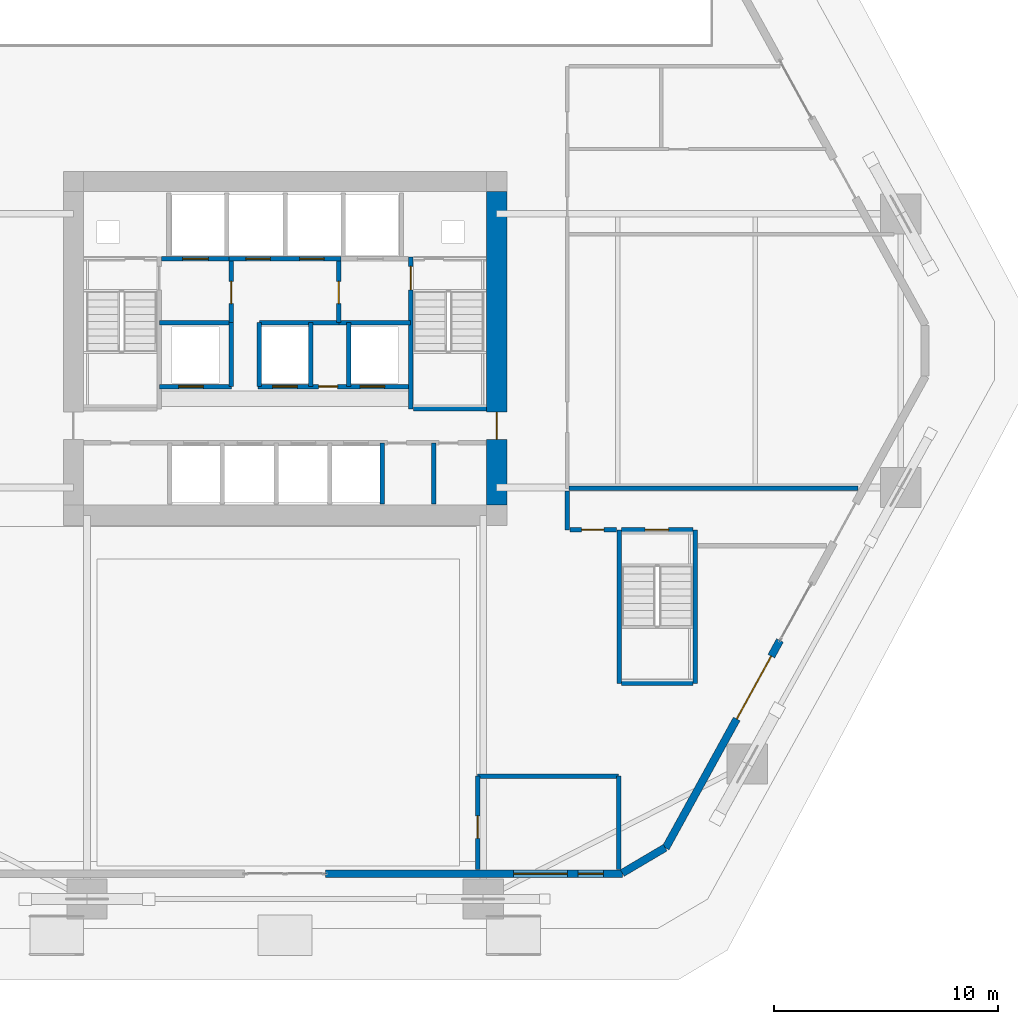
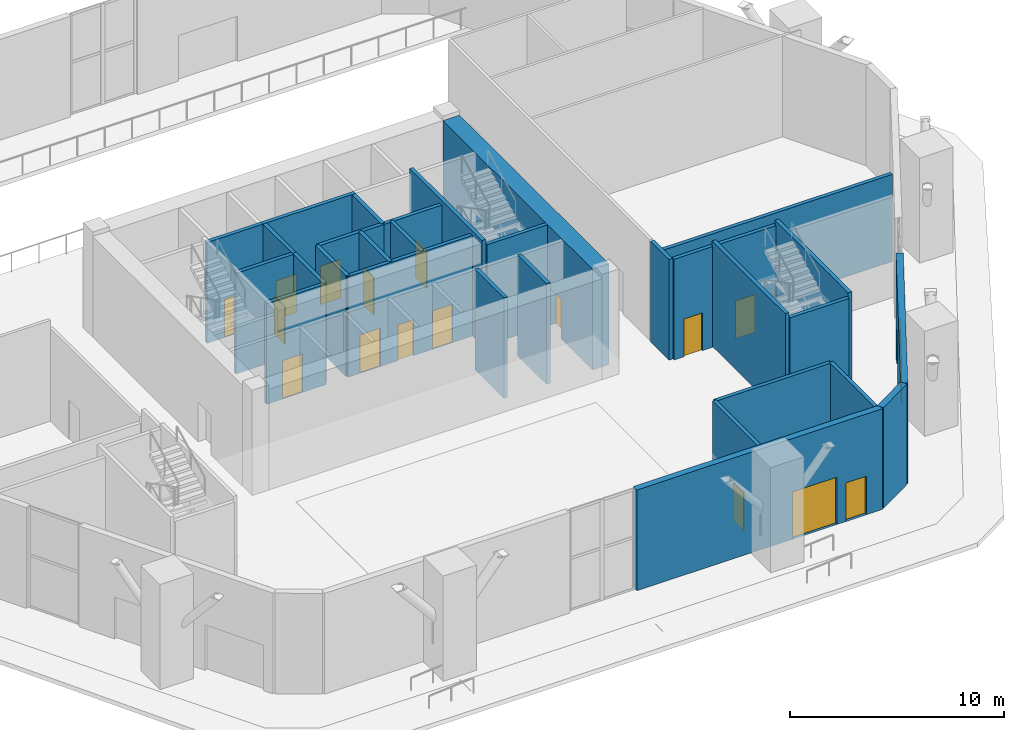
# One storey, part 16 of 22: 31 walls, 17 doors, 17 openings.
"""IFC4 building model written with IfcOpenShell, lengths in metres."""

from ifc_helpers import new_model, si_unit, direction, frame, frame_2d, origin, place, context, subcontext, project, spatial, rectangle, extrude, material, layer, layer_set, type_object, element, fill, save


model = new_model("IFC4")

# Units and contexts
model_context = context("Model", 3, precision=1e-05, world=origin(), true_north=direction((0.0, 1.0)))
body_context = subcontext(model_context, "Body", "Model", "MODEL_VIEW")
ifc_project = project(units=[si_unit("LENGTHUNIT", "METRE"), si_unit("AREAUNIT", "SQUARE_METRE"), si_unit("VOLUMEUNIT", "CUBIC_METRE"), si_unit("PLANEANGLEUNIT", "RADIAN"), si_unit("MASSUNIT", "GRAM", prefix="KILO")], contexts=[model_context])

# Site, building, storey
site_placement = place(None, origin())
site = spatial("IfcSite", under=ifc_project, at=site_placement, CompositionType="ELEMENT")
building_placement = place(site_placement, origin())
building = spatial("IfcBuilding", under=site, at=building_placement, Name="Cinnabar Lancet Tower", CompositionType="ELEMENT")
storey_placement = place(building_placement, origin())
storey = spatial("IfcBuildingStorey", under=building, at=storey_placement, Name="L00", CompositionType="ELEMENT", Elevation=0.0)

# Wall
ifc_material_1 = material(Name="Autoclaved aerated concrete blockwork", Category="masonry")
ifc_layer_1 = layer(ifc_material_1, 0.199951171875)
ifc_layer_set_1 = layer_set([ifc_layer_1], Name="Autoclaved aerated concrete blockwork")
wall_type_1 = type_object("IfcWallType", Name="ARC-WL-SHAFT-200", PredefinedType="PLUMBINGWALL", material=ifc_layer_set_1)
wall_1_placement = place(storey_placement, frame((38.125, 23.199951171875, 0.0), z_axis=(0.0, 0.0, 1.0), x_axis=(1.0, 0.0, 0.0)))
element("IfcWall", 1, at=wall_1_placement, inside=storey, type_object=wall_type_1, Name="CW-ST2S-L00", PredefinedType="PLUMBINGWALL", context=body_context, shape_type="SweptSolid", body=[
    extrude(rectangle(XDim=3.27001953125, YDim=0.199951171875, at=frame_2d((1.635009765625, 0.0))), origin(), (0.0, 0.0, 1.0), 5.75),
])

# Wall, opening, door
wall_2_placement = place(storey_placement, frame((26.885009765625, 29.89990234375, 0.0), z_axis=(0.0, 0.0, 1.0), x_axis=(1.0, 0.0, 0.0)))
wall_2 = element("IfcWall", 2, at=wall_2_placement, inside=storey, type_object=wall_type_1, Name="CW-FL1-L00", PredefinedType="PLUMBINGWALL", context=body_context, shape_type="SweptSolid", body=[
    extrude(rectangle(XDim=3.014892578125, YDim=0.199951171875, at=frame_2d((1.50732421875, 0.0))), origin(), (0.0, 0.0, 1.0), 5.75),
])
opening_1_placement = place(wall_2_placement, frame((0.93994140625, 0.0, 0.0)))
opening_1 = element("IfcOpeningElement", 3, at=opening_1_placement, cuts=wall_2, Name="Opening LD-02", PredefinedType="OPENING", context=body_context, shape_type="SweptSolid", body=[
    extrude(rectangle(XDim=1.14990234375, YDim=2.199951171875, at=frame_2d((0.574951171875, 1.10009765625))), frame((0.0, 0.10986328125, 0.0), z_axis=(0.0, -1.0, 0.0), x_axis=(1.0, 0.0, 0.0)), (0.0, 0.0, 1.0), 0.219970703125),
])
ifc_material_2 = material(Name="Fire-rated stainless steel firefighting lift landing door", Category="steel")
door_type_1 = type_object("IfcDoorType", Name="ARC-DR-LD-FIRE", OperationType="NOTDEFINED", PredefinedType="DOOR", material=ifc_material_2)
door_1_placement = place(opening_1_placement, origin())
door_1 = element("IfcDoor", 4, at=door_1_placement, inside=storey, type_object=door_type_1, Name="L00 Firefighting Lift FL-1 Landing Door", OperationType="DOUBLE_DOOR_SLIDING", OverallHeight=2.199951171875, OverallWidth=1.14990234375, PredefinedType="DOOR", context=body_context, shape_type="SweptSolid", body=[
    extrude(rectangle(XDim=1.14990234375, YDim=2.199951171875, at=frame_2d((0.574951171875, 1.10009765625))), frame((0.0, 0.02490234375, 0.0), z_axis=(0.0, -1.0, 0.0), x_axis=(1.0, 0.0, 0.0)), (0.0, 0.0, 1.0), 0.050048828125),
])
fill(opening_1, door_1)

# Wall, openings, doors
wall_3_placement = place(storey_placement, frame((29.89990234375, 29.89990234375, 0.0), z_axis=(0.0, 0.0, 1.0), x_axis=(1.0, 0.0, 0.0)))
wall_3 = element("IfcWall", 5, at=wall_3_placement, inside=storey, type_object=wall_type_1, Name="CW-PL78-L00", PredefinedType="PLUMBINGWALL", context=body_context, shape_type="SweptSolid", body=[
    extrude(rectangle(XDim=5.0, YDim=0.199951171875, at=frame_2d((2.5, 0.0))), origin(), (0.0, 0.0, 1.0), 5.75),
])
opening_2_placement = place(wall_3_placement, frame((0.75, 0.0, 0.0)))
opening_2 = element("IfcOpeningElement", 6, at=opening_2_placement, cuts=wall_3, Name="Opening LD-01", PredefinedType="OPENING", context=body_context, shape_type="SweptSolid", body=[
    extrude(rectangle(XDim=1.10009765625, YDim=2.199951171875, at=frame_2d((0.550048828125, 1.10009765625))), frame((0.0, 0.10986328125, 0.0), z_axis=(0.0, -1.0, 0.0), x_axis=(1.0, 0.0, 0.0)), (0.0, 0.0, 1.0), 0.219970703125),
])
opening_3_placement = place(wall_3_placement, frame((3.14990234375, 0.0, 0.0)))
opening_3 = element("IfcOpeningElement", 7, at=opening_3_placement, cuts=wall_3, Name="Opening LD-01", PredefinedType="OPENING", context=body_context, shape_type="SweptSolid", body=[
    extrude(rectangle(XDim=1.10009765625, YDim=2.199951171875, at=frame_2d((0.550048828125, 1.10009765625))), frame((0.0, 0.10986328125, 0.0), z_axis=(0.0, -1.0, 0.0), x_axis=(1.0, 0.0, 0.0)), (0.0, 0.0, 1.0), 0.219970703125),
])
ifc_material_3 = material(Name="Brushed stainless steel sliding lift door", Category="steel")
door_type_2 = type_object("IfcDoorType", Name="ARC-DR-LD-PASS", OperationType="NOTDEFINED", PredefinedType="DOOR", material=ifc_material_3)
door_2_placement = place(opening_2_placement, origin())
door_2 = element("IfcDoor", 8, at=door_2_placement, inside=storey, type_object=door_type_2, Name="L00 Lift PL-7 Landing Door", OperationType="DOUBLE_DOOR_SLIDING", OverallHeight=2.199951171875, OverallWidth=1.10009765625, PredefinedType="DOOR", context=body_context, shape_type="SweptSolid", body=[
    extrude(rectangle(XDim=1.10009765625, YDim=2.199951171875, at=frame_2d((0.550048828125, 1.10009765625))), frame((0.0, 0.02490234375, 0.0), z_axis=(0.0, -1.0, 0.0), x_axis=(1.0, 0.0, 0.0)), (0.0, 0.0, 1.0), 0.050048828125),
])
fill(opening_2, door_2)
door_3_placement = place(opening_3_placement, origin())
door_3 = element("IfcDoor", 9, at=door_3_placement, inside=storey, type_object=door_type_2, Name="L00 Lift PL-8 Landing Door", OperationType="DOUBLE_DOOR_SLIDING", OverallHeight=2.199951171875, OverallWidth=1.10009765625, PredefinedType="DOOR", context=body_context, shape_type="SweptSolid", body=[
    extrude(rectangle(XDim=1.10009765625, YDim=2.199951171875, at=frame_2d((0.550048828125, 1.10009765625))), frame((0.0, 0.02490234375, 0.0), z_axis=(0.0, -1.0, 0.0), x_axis=(1.0, 0.0, 0.0)), (0.0, 0.0, 1.0), 0.050048828125),
])
fill(opening_3, door_3)

# Wall, opening, door
wall_4_placement = place(storey_placement, frame((30.0, 27.050048828125, 0.0), z_axis=(0.0, 0.0, 1.0), x_axis=(0.0, 1.0, 0.0)))
wall_4 = element("IfcWall", 10, at=wall_4_placement, inside=storey, type_object=wall_type_1, Name="CW-FF1E-L00", PredefinedType="PLUMBINGWALL", context=body_context, shape_type="SweptSolid", body=[
    extrude(rectangle(XDim=2.75, YDim=0.199951171875, at=frame_2d((1.375, 0.0))), origin(), (0.0, 0.0, 1.0), 5.75),
])
opening_4_placement = place(wall_4_placement, frame((0.85009765625, 0.0, 0.0)))
opening_4 = element("IfcOpeningElement", 11, at=opening_4_placement, cuts=wall_4, Name="Opening FD-01", PredefinedType="OPENING", context=body_context, shape_type="SweptSolid", body=[
    extrude(rectangle(XDim=1.0, YDim=2.14990234375, at=frame_2d((0.5, 1.074951171875))), frame((0.0, 0.10986328125, 0.0), z_axis=(0.0, -1.0, 0.0), x_axis=(1.0, 0.0, 0.0)), (0.0, 0.0, 1.0), 0.219970703125),
])
ifc_material_4 = material(Name="Fire-rated timber-core lobby door", Category="wood")
door_type_3 = type_object("IfcDoorType", Name="ARC-DR-FFAL", OperationType="NOTDEFINED", PredefinedType="DOOR", material=ifc_material_4)
door_4_placement = place(opening_4_placement, origin())
door_4 = element("IfcDoor", 12, at=door_4_placement, inside=storey, type_object=door_type_3, Name="L00 FFAL-1 Lobby Fire Door", OperationType="SINGLE_SWING_RIGHT", OverallHeight=2.14990234375, OverallWidth=1.0, PredefinedType="DOOR", context=body_context, shape_type="SweptSolid", body=[
    extrude(rectangle(XDim=1.0, YDim=2.14990234375, at=frame_2d((0.5, 1.074951171875))), frame((0.0, 0.02490234375, 0.0), z_axis=(0.0, -1.0, 0.0), x_axis=(1.0, 0.0, 0.0)), (0.0, 0.0, 1.0), 0.050048828125),
])
fill(opening_4, door_4)

# Wall
wall_5_placement = place(storey_placement, frame((26.800048828125, 27.050048828125, 0.0), z_axis=(0.0, 0.0, 1.0), x_axis=(1.0, 0.0, 0.0)))
element("IfcWall", 13, at=wall_5_placement, inside=storey, type_object=wall_type_1, Name="CW-FF1S-L00", PredefinedType="PLUMBINGWALL", context=body_context, shape_type="SweptSolid", body=[
    extrude(rectangle(XDim=3.199951171875, YDim=0.199951171875, at=frame_2d((1.60009765625, 0.0))), origin(), (0.0, 0.0, 1.0), 5.75),
])

# Wall, opening, door
wall_6_placement = place(storey_placement, frame((34.800048828125, 27.050048828125, 0.0), z_axis=(0.0, 0.0, 1.0), x_axis=(0.0, 1.0, 0.0)))
wall_6 = element("IfcWall", 14, at=wall_6_placement, inside=storey, type_object=wall_type_1, Name="CW-FF2W-L00", PredefinedType="PLUMBINGWALL", context=body_context, shape_type="SweptSolid", body=[
    extrude(rectangle(XDim=2.75, YDim=0.199951171875, at=frame_2d((1.375, 0.0))), origin(), (0.0, 0.0, 1.0), 5.75),
])
opening_5_placement = place(wall_6_placement, frame((0.85009765625, 0.0, 0.0)))
opening_5 = element("IfcOpeningElement", 15, at=opening_5_placement, cuts=wall_6, Name="Opening FD-01", PredefinedType="OPENING", context=body_context, shape_type="SweptSolid", body=[
    extrude(rectangle(XDim=1.0, YDim=2.14990234375, at=frame_2d((0.5, 1.074951171875))), frame((0.0, 0.10986328125, 0.0), z_axis=(0.0, -1.0, 0.0), x_axis=(1.0, 0.0, 0.0)), (0.0, 0.0, 1.0), 0.219970703125),
])
door_5_placement = place(opening_5_placement, origin())
door_5 = element("IfcDoor", 16, at=door_5_placement, inside=storey, type_object=door_type_3, Name="L00 FFAL-2 Lobby Fire Door", OperationType="SINGLE_SWING_LEFT", OverallHeight=2.14990234375, OverallWidth=1.0, PredefinedType="DOOR", context=body_context, shape_type="SweptSolid", body=[
    extrude(rectangle(XDim=1.0, YDim=2.14990234375, at=frame_2d((0.5, 1.074951171875))), frame((0.0, 0.02490234375, 0.0), z_axis=(0.0, -1.0, 0.0), x_axis=(1.0, 0.0, 0.0)), (0.0, 0.0, 1.0), 0.050048828125),
])
fill(opening_5, door_5)

# Wall
wall_7_placement = place(storey_placement, frame((34.800048828125, 27.050048828125, 0.0), z_axis=(0.0, 0.0, 1.0), x_axis=(1.0, 0.0, 0.0)))
element("IfcWall", 17, at=wall_7_placement, inside=storey, type_object=wall_type_1, Name="CW-FF2S-L00", PredefinedType="PLUMBINGWALL", context=body_context, shape_type="SweptSolid", body=[
    extrude(rectangle(XDim=3.199951171875, YDim=0.199951171875, at=frame_2d((1.60009765625, 0.0))), origin(), (0.0, 0.0, 1.0), 5.75),
])

# Wall, opening, door
wall_8_placement = place(storey_placement, frame((26.800048828125, 24.199951171875, 0.0), z_axis=(0.0, 0.0, 1.0), x_axis=(1.0, 0.0, 0.0)))
wall_8 = element("IfcWall", 18, at=wall_8_placement, inside=storey, type_object=wall_type_1, Name="CW-PL5S-L00", PredefinedType="PLUMBINGWALL", context=body_context, shape_type="SweptSolid", body=[
    extrude(rectangle(XDim=3.199951171875, YDim=0.199951171875, at=frame_2d((1.60009765625, 0.0))), origin(), (0.0, 0.0, 1.0), 5.75),
])
opening_6_placement = place(wall_8_placement, frame((0.85009765625, 0.0, 0.0)))
opening_6 = element("IfcOpeningElement", 19, at=opening_6_placement, cuts=wall_8, Name="Opening LD-01", PredefinedType="OPENING", context=body_context, shape_type="SweptSolid", body=[
    extrude(rectangle(XDim=1.10009765625, YDim=2.199951171875, at=frame_2d((0.550048828125, 1.10009765625))), frame((0.0, 0.10986328125, 0.0), z_axis=(0.0, -1.0, 0.0), x_axis=(1.0, 0.0, 0.0)), (0.0, 0.0, 1.0), 0.219970703125),
])
door_6_placement = place(opening_6_placement, origin())
door_6 = element("IfcDoor", 20, at=door_6_placement, inside=storey, type_object=door_type_2, Name="L00 Lift PL-5 Landing Door", OperationType="DOUBLE_DOOR_SLIDING", OverallHeight=2.199951171875, OverallWidth=1.10009765625, PredefinedType="DOOR", context=body_context, shape_type="SweptSolid", body=[
    extrude(rectangle(XDim=1.10009765625, YDim=2.199951171875, at=frame_2d((0.550048828125, 1.10009765625))), frame((0.0, 0.02490234375, 0.0), z_axis=(0.0, -1.0, 0.0), x_axis=(1.0, 0.0, 0.0)), (0.0, 0.0, 1.0), 0.050048828125),
])
fill(opening_6, door_6)

# Wall
wall_9_placement = place(storey_placement, frame((30.0, 24.199951171875, 0.0), z_axis=(0.0, 0.0, 1.0), x_axis=(0.0, 1.0, 0.0)))
element("IfcWall", 21, at=wall_9_placement, inside=storey, type_object=wall_type_1, Name="CW-PL5E-L00", PredefinedType="PLUMBINGWALL", context=body_context, shape_type="SweptSolid", body=[
    extrude(rectangle(XDim=2.85009765625, YDim=0.199951171875, at=frame_2d((1.425048828125, 0.0))), origin(), (0.0, 0.0, 1.0), 5.75),
])

# Wall, openings, doors
wall_10_placement = place(storey_placement, frame((31.199951171875, 24.199951171875, 0.0), z_axis=(0.0, 0.0, 1.0), x_axis=(1.0, 0.0, 0.0)))
wall_10 = element("IfcWall", 22, at=wall_10_placement, inside=storey, type_object=wall_type_1, Name="CW-PL96S-L00", PredefinedType="PLUMBINGWALL", context=body_context, shape_type="SweptSolid", body=[
    extrude(rectangle(XDim=6.800048828125, YDim=0.199951171875, at=frame_2d((3.39990234375, 0.0))), origin(), (0.0, 0.0, 1.0), 5.75),
])
opening_7_placement = place(wall_10_placement, frame((0.64990234375, 0.0, 0.0)))
opening_7 = element("IfcOpeningElement", 23, at=opening_7_placement, cuts=wall_10, Name="Opening LD-01", PredefinedType="OPENING", context=body_context, shape_type="SweptSolid", body=[
    extrude(rectangle(XDim=1.10009765625, YDim=2.199951171875, at=frame_2d((0.550048828125, 1.10009765625))), frame((0.0, 0.10986328125, 0.0), z_axis=(0.0, -1.0, 0.0), x_axis=(1.0, 0.0, 0.0)), (0.0, 0.0, 1.0), 0.219970703125),
])
opening_8_placement = place(wall_10_placement, frame((2.699951171875, 0.0, 0.0)))
opening_8 = element("IfcOpeningElement", 24, at=opening_8_placement, cuts=wall_10, Name="Opening PD-02", PredefinedType="OPENING", context=body_context, shape_type="SweptSolid", body=[
    extrude(rectangle(XDim=0.85009765625, YDim=2.050048828125, at=frame_2d((0.425048828125, 1.02490234375))), frame((0.0, 0.10986328125, 0.0), z_axis=(0.0, -1.0, 0.0), x_axis=(1.0, 0.0, 0.0)), (0.0, 0.0, 1.0), 0.219970703125),
])
opening_9_placement = place(wall_10_placement, frame((4.550048828125, 0.0, 0.0)))
opening_9 = element("IfcOpeningElement", 25, at=opening_9_placement, cuts=wall_10, Name="Opening LD-01", PredefinedType="OPENING", context=body_context, shape_type="SweptSolid", body=[
    extrude(rectangle(XDim=1.10009765625, YDim=2.199951171875, at=frame_2d((0.550048828125, 1.10009765625))), frame((0.0, 0.10986328125, 0.0), z_axis=(0.0, -1.0, 0.0), x_axis=(1.0, 0.0, 0.0)), (0.0, 0.0, 1.0), 0.219970703125),
])
door_7_placement = place(opening_7_placement, origin())
door_7 = element("IfcDoor", 26, at=door_7_placement, inside=storey, type_object=door_type_2, Name="L00 Lift PL-9 Landing Door", OperationType="DOUBLE_DOOR_SLIDING", OverallHeight=2.199951171875, OverallWidth=1.10009765625, PredefinedType="DOOR", context=body_context, shape_type="SweptSolid", body=[
    extrude(rectangle(XDim=1.10009765625, YDim=2.199951171875, at=frame_2d((0.550048828125, 1.10009765625))), frame((0.0, 0.02490234375, 0.0), z_axis=(0.0, -1.0, 0.0), x_axis=(1.0, 0.0, 0.0)), (0.0, 0.0, 1.0), 0.050048828125),
])
fill(opening_7, door_7)
door_8_placement = place(opening_9_placement, origin())
door_8 = element("IfcDoor", 27, at=door_8_placement, inside=storey, type_object=door_type_2, Name="L00 Lift PL-6 Landing Door", OperationType="DOUBLE_DOOR_SLIDING", OverallHeight=2.199951171875, OverallWidth=1.10009765625, PredefinedType="DOOR", context=body_context, shape_type="SweptSolid", body=[
    extrude(rectangle(XDim=1.10009765625, YDim=2.199951171875, at=frame_2d((0.550048828125, 1.10009765625))), frame((0.0, 0.02490234375, 0.0), z_axis=(0.0, -1.0, 0.0), x_axis=(1.0, 0.0, 0.0)), (0.0, 0.0, 1.0), 0.050048828125),
])
fill(opening_9, door_8)
ifc_material_5 = material(Name="Fire-rated steel riser access door", Category="steel")
door_type_4 = type_object("IfcDoorType", Name="ARC-DR-RISER", OperationType="NOTDEFINED", PredefinedType="DOOR", material=ifc_material_5)
door_9_placement = place(opening_8_placement, origin())
door_9 = element("IfcDoor", 28, at=door_9_placement, inside=storey, type_object=door_type_4, Name="L00 BMS Closet Door", OperationType="SINGLE_SWING_LEFT", OverallHeight=2.050048828125, OverallWidth=0.85009765625, PredefinedType="DOOR", context=body_context, shape_type="SweptSolid", body=[
    extrude(rectangle(XDim=0.85009765625, YDim=2.050048828125, at=frame_2d((0.425048828125, 1.02490234375))), frame((0.0, 0.02490234375, 0.0), z_axis=(0.0, -1.0, 0.0), x_axis=(1.0, 0.0, 0.0)), (0.0, 0.0, 1.0), 0.050048828125),
])
fill(opening_8, door_9)

# Walls
for number, where, z_axis, x_axis, name in (
    (29, (31.25, 24.199951171875, 0.0), (0.0, 0.0, 1.0), (0.0, 1.0, 0.0), "CW-PL9W-L00"),
    (30, (33.550048828125, 24.199951171875, 0.0), (0.0, 0.0, 1.0), (0.0, 1.0, 0.0), "CW-PL9E-L00"),
    (31, (35.25, 24.199951171875, 0.0), (0.0, 0.0, 1.0), (0.0, 1.0, 0.0), "CW-PL6W-L00"),
):
    element("IfcWall", number, at=place(storey_placement, frame(where, z_axis=z_axis, x_axis=x_axis)), inside=storey, type_object=wall_type_1, Name=name, PredefinedType="PLUMBINGWALL", context=body_context, shape_type="SweptSolid", body=[
        extrude(rectangle(XDim=2.85009765625, YDim=0.199951171875, at=frame_2d((1.425048828125, 0.0))), origin(), (0.0, 0.0, 1.0), 5.75),
    ])
wall_11_placement = place(storey_placement, frame((31.25, 27.050048828125, 0.0), z_axis=(0.0, 0.0, 1.0), x_axis=(1.0, 0.0, 0.0)))
element("IfcWall", 32, at=wall_11_placement, inside=storey, type_object=wall_type_1, Name="CW-PL96N-L00", PredefinedType="PLUMBINGWALL", context=body_context, shape_type="SweptSolid", body=[
    extrude(rectangle(XDim=3.550048828125, YDim=0.199951171875, at=frame_2d((1.77490234375, 0.0))), origin(), (0.0, 0.0, 1.0), 5.75),
])
for number, where, z_axis, x_axis, name in (
    (33, (36.75, 18.949951171875, 0.0), (0.0, 0.0, 1.0), (0.0, 1.0, 0.0), "CW-SB-3675-L00"),
    (34, (39.050048828125, 18.949951171875, 0.0), (0.0, 0.0, 1.0), (0.0, 1.0, 0.0), "CW-SB-SE-L00"),
):
    element("IfcWall", number, at=place(storey_placement, frame(where, z_axis=z_axis, x_axis=x_axis)), inside=storey, type_object=wall_type_1, Name=name, PredefinedType="PLUMBINGWALL", context=body_context, shape_type="SweptSolid", body=[
        extrude(rectangle(XDim=2.72998046875, YDim=0.199951171875, at=frame_2d((1.364990234375, 0.0))), origin(), (0.0, 0.0, 1.0), 5.75),
    ])
wall_12_placement = place(storey_placement, frame((47.425048828125, 10.949951171875, 0.0), z_axis=(0.0, 0.0, 1.0), x_axis=(1.0, 0.0, 0.0)))
element("IfcWall", 35, at=wall_12_placement, inside=storey, type_object=wall_type_1, Name="PW-ST4S-L00", PredefinedType="PLUMBINGWALL", context=body_context, shape_type="SweptSolid", body=[
    extrude(rectangle(XDim=3.18994140625, YDim=0.199951171875, at=frame_2d((1.594970703125, 0.0))), origin(), (0.0, 0.0, 1.0), 5.75),
])

# Wall, opening, door
wall_13_placement = place(storey_placement, frame((47.425048828125, 17.800048828125, 0.0), z_axis=(0.0, 0.0, 1.0), x_axis=(1.0, 0.0, 0.0)))
wall_13 = element("IfcWall", 36, at=wall_13_placement, inside=storey, type_object=wall_type_1, Name="PW-ST4N-L00", PredefinedType="PLUMBINGWALL", context=body_context, shape_type="SweptSolid", body=[
    extrude(rectangle(XDim=3.18994140625, YDim=0.199951171875, at=frame_2d((1.594970703125, 0.0))), origin(), (0.0, 0.0, 1.0), 5.75),
])
opening_10_placement = place(wall_13_placement, frame((1.050048828125, 0.0, 0.0)))
opening_10 = element("IfcOpeningElement", 37, at=opening_10_placement, cuts=wall_13, Name="Opening SD-01", PredefinedType="OPENING", context=body_context, shape_type="SweptSolid", body=[
    extrude(rectangle(XDim=1.050048828125, YDim=2.14990234375, at=frame_2d((0.52490234375, 1.074951171875))), frame((0.0, 0.10986328125, 0.0), z_axis=(0.0, -1.0, 0.0), x_axis=(1.0, 0.0, 0.0)), (0.0, 0.0, 1.0), 0.219970703125),
])
ifc_material_6 = material(Name="Fire-rated steel stair exit door", Category="steel")
door_type_5 = type_object("IfcDoorType", Name="ARC-DR-STAIR", OperationType="NOTDEFINED", PredefinedType="DOOR", material=ifc_material_6)
door_10_placement = place(opening_10_placement, origin())
door_10 = element("IfcDoor", 38, at=door_10_placement, inside=storey, type_object=door_type_5, Name="L00 Podium Stair ST-4 Fire Door", OperationType="SINGLE_SWING_RIGHT", OverallHeight=2.14990234375, OverallWidth=1.050048828125, PredefinedType="DOOR", context=body_context, shape_type="SweptSolid", body=[
    extrude(rectangle(XDim=1.050048828125, YDim=2.14990234375, at=frame_2d((0.52490234375, 1.074951171875))), frame((0.0, 0.02490234375, 0.0), z_axis=(0.0, -1.0, 0.0), x_axis=(1.0, 0.0, 0.0)), (0.0, 0.0, 1.0), 0.050048828125),
])
fill(opening_10, door_10)

wall_14_placement = place(storey_placement, frame((41.0, 2.625, 0.0), z_axis=(0.0, 0.0, 1.0), x_axis=(0.0, 1.0, 0.0)))
wall_14 = element("IfcWall", 39, at=wall_14_placement, inside=storey, type_object=wall_type_1, Name="PW-L00-FCCW", PredefinedType="PLUMBINGWALL", context=body_context, shape_type="SweptSolid", body=[
    extrude(rectangle(XDim=4.175048828125, YDim=0.199951171875, at=frame_2d((2.08740234375, 0.0))), origin(), (0.0, 0.0, 1.0), 5.75),
])
opening_11_placement = place(wall_14_placement, frame((1.39990234375, 0.0, 0.0)))
opening_11 = element("IfcOpeningElement", 40, at=opening_11_placement, cuts=wall_14, Name="Opening FD-01", PredefinedType="OPENING", context=body_context, shape_type="SweptSolid", body=[
    extrude(rectangle(XDim=1.0, YDim=2.14990234375, at=frame_2d((0.5, 1.074951171875))), frame((0.0, 0.10986328125, 0.0), z_axis=(0.0, -1.0, 0.0), x_axis=(1.0, 0.0, 0.0)), (0.0, 0.0, 1.0), 0.219970703125),
])
door_11_placement = place(opening_11_placement, origin())
door_11 = element("IfcDoor", 41, at=door_11_placement, inside=storey, type_object=door_type_3, Name="Fire Command Centre Interior Door", OperationType="SINGLE_SWING_LEFT", OverallHeight=2.14990234375, OverallWidth=1.0, PredefinedType="DOOR", context=body_context, shape_type="SweptSolid", body=[
    extrude(rectangle(XDim=1.0, YDim=2.14990234375, at=frame_2d((0.5, 1.074951171875))), frame((0.0, 0.02490234375, 0.0), z_axis=(0.0, -1.0, 0.0), x_axis=(1.0, 0.0, 0.0)), (0.0, 0.0, 1.0), 0.050048828125),
])
fill(opening_11, door_11)

# Walls
wall_15_placement = place(storey_placement, frame((41.0, 6.800048828125, 0.0), z_axis=(0.0, 0.0, 1.0), x_axis=(1.0, 0.0, 0.0)))
element("IfcWall", 42, at=wall_15_placement, inside=storey, type_object=wall_type_1, Name="PW-L00-FCCN", PredefinedType="PLUMBINGWALL", context=body_context, shape_type="SweptSolid", body=[
    extrude(rectangle(XDim=6.300048828125, YDim=0.199951171875, at=frame_2d((3.14990234375, 0.0))), origin(), (0.0, 0.0, 1.0), 5.75),
])
wall_16_placement = place(storey_placement, frame((47.300048828125, 2.625, 0.0), z_axis=(0.0, 0.0, 1.0), x_axis=(0.0, 1.0, 0.0)))
element("IfcWall", 43, at=wall_16_placement, inside=storey, type_object=wall_type_1, Name="PW-L00-FCCE", PredefinedType="PLUMBINGWALL", context=body_context, shape_type="SweptSolid", body=[
    extrude(rectangle(XDim=4.175048828125, YDim=0.199951171875, at=frame_2d((2.08740234375, 0.0))), origin(), (0.0, 0.0, 1.0), 5.75),
])
wall_17_placement = place(storey_placement, frame((45.0849609375, 19.64990234375, 0.0), z_axis=(0.0, 0.0, 1.0), x_axis=(1.0, 0.0, 0.0)))
element("IfcWall", 44, at=wall_17_placement, inside=storey, type_object=wall_type_1, Name="PW-L00-RETS", PredefinedType="PLUMBINGWALL", context=body_context, shape_type="SweptSolid", body=[
    extrude(rectangle(XDim=12.89501953125, YDim=0.199951171875, at=frame_2d((6.447509765625, 0.0))), origin(), (0.0, 0.0, 1.0), 4.97802734375),
])
wall_18_placement = place(storey_placement, frame((45.0, 17.800048828125, 0.0), z_axis=(0.0, 0.0, 1.0), x_axis=(0.0, 1.0, 0.0)))
element("IfcWall", 45, at=wall_18_placement, inside=storey, type_object=wall_type_1, Name="PW-L00-EX4W", PredefinedType="PLUMBINGWALL", context=body_context, shape_type="SweptSolid", body=[
    extrude(rectangle(XDim=1.72998046875, YDim=0.199951171875, at=frame_2d((0.864990234375, 0.0))), origin(), (0.0, 0.0, 1.0), 5.75),
])

# Wall, opening, door
wall_19_placement = place(storey_placement, frame((45.1201171875, 17.800048828125, 0.0), z_axis=(0.0, 0.0, 1.0), x_axis=(1.0, 0.0, 0.0)))
wall_19 = element("IfcWall", 46, at=wall_19_placement, inside=storey, type_object=wall_type_1, Name="PW-L00-EX4SW", PredefinedType="PLUMBINGWALL", context=body_context, shape_type="SweptSolid", body=[
    extrude(rectangle(XDim=2.079833984375, YDim=0.199951171875, at=frame_2d((1.0400390625, 0.0))), origin(), (0.0, 0.0, 1.0), 5.75),
])
opening_12_placement = place(wall_19_placement, frame((0.52001953125, 0.0, 0.0)))
opening_12 = element("IfcOpeningElement", 47, at=opening_12_placement, cuts=wall_19, Name="Opening FD-01", PredefinedType="OPENING", context=body_context, shape_type="SweptSolid", body=[
    extrude(rectangle(XDim=1.0, YDim=2.14990234375, at=frame_2d((0.5, 1.074951171875))), frame((0.0, 0.10986328125, 0.0), z_axis=(0.0, -1.0, 0.0), x_axis=(1.0, 0.0, 0.0)), (0.0, 0.0, 1.0), 0.219970703125),
])
door_12_placement = place(opening_12_placement, origin())
door_12 = element("IfcDoor", 48, at=door_12_placement, inside=storey, type_object=door_type_3, Name="L00 ST-4 Protected Exit Corridor Fire Door", OperationType="SINGLE_SWING_LEFT", OverallHeight=2.14990234375, OverallWidth=1.0, PredefinedType="DOOR", context=body_context, shape_type="SweptSolid", body=[
    extrude(rectangle(XDim=1.0, YDim=2.14990234375, at=frame_2d((0.5, 1.074951171875))), frame((0.0, 0.02490234375, 0.0), z_axis=(0.0, -1.0, 0.0), x_axis=(1.0, 0.0, 0.0)), (0.0, 0.0, 1.0), 0.050048828125),
])
fill(opening_12, door_12)

# Wall
ifc_material_7 = material(Name="Cinnabar red clay brick", Category="masonry")
ifc_layer_2 = layer(ifc_material_7, 0.340087890625)
ifc_layer_set_2 = layer_set([ifc_layer_2], Name="Cinnabar red clay brick")
wall_type_2 = type_object("IfcWallType", Name="ENV-WL-BRK-RED-340", PredefinedType="STANDARD", material=ifc_layer_set_2)
wall_20_placement = place(storey_placement, frame((49.375, 3.60791015625, 0.0), z_axis=(0.0, 0.0, 1.0), x_axis=(-0.860917796935, -0.508744087848, 0.0)))
element("IfcWall", 49, at=wall_20_placement, inside=storey, type_object=wall_type_2, Name="L00 Chamfered Corner Brick Pier 2.1", PredefinedType="STANDARD", context=body_context, shape_type="SweptSolid", body=[
    extrude(rectangle(XDim=2.2265625, YDim=0.340087890625, at=frame_2d((1.11328125, 0.0))), origin(), (0.0, 0.0, 1.0), 5.75),
])

# Wall, openings, doors
wall_21_placement = place(storey_placement, frame((47.4619140625, 2.449951171875, 0.0), z_axis=(0.0, 0.0, 1.0), x_axis=(-1.0, 0.0, 0.0)))
wall_21 = element("IfcWall", 50, at=wall_21_placement, inside=storey, type_object=wall_type_2, Name="L00 Face 1 Left Brick Wall", PredefinedType="STANDARD", context=body_context, shape_type="SweptSolid", body=[
    extrude(rectangle(XDim=13.2548828125, YDim=0.340087890625, at=frame_2d((6.62744140625, 0.0))), origin(), (0.0, 0.0, 1.0), 5.75),
])
opening_13_placement = place(wall_21_placement, frame((2.449951171875, 0.0, 0.0)))
opening_13 = element("IfcOpeningElement", 51, at=opening_13_placement, cuts=wall_21, Name="Opening ED-02", PredefinedType="OPENING", context=body_context, shape_type="SweptSolid", body=[
    extrude(rectangle(XDim=2.39990234375, YDim=2.699951171875, at=frame_2d((1.199951171875, 1.35009765625))), frame((0.0, 0.179931640625, 0.0), z_axis=(0.0, -1.0, 0.0), x_axis=(1.0, 0.0, 0.0)), (0.0, 0.0, 1.0), 0.360107421875),
])
opening_14_placement = place(wall_21_placement, frame((0.85009765625, 0.0, 0.0)))
opening_14 = element("IfcOpeningElement", 52, at=opening_14_placement, cuts=wall_21, Name="Opening ED-03", PredefinedType="OPENING", context=body_context, shape_type="SweptSolid", body=[
    extrude(rectangle(XDim=1.1201171875, YDim=2.199951171875, at=frame_2d((0.56005859375, 1.10009765625))), frame((0.0, 0.179931640625, 0.0), z_axis=(0.0, -1.0, 0.0), x_axis=(1.0, 0.0, 0.0)), (0.0, 0.0, 1.0), 0.360107421875),
])
ifc_material_8 = material(Name="Fire-brigade steel direct-access door", Category="steel")
door_type_6 = type_object("IfcDoorType", Name="ARC-DR-FCC-EXT", OperationType="NOTDEFINED", PredefinedType="DOOR", material=ifc_material_8)
door_13_placement = place(opening_14_placement, origin())
door_13 = element("IfcDoor", 53, at=door_13_placement, inside=storey, type_object=door_type_6, Name="L00 Fire Command Centre Exterior Brigade Door", OperationType="SINGLE_SWING_LEFT", OverallHeight=2.199951171875, OverallWidth=1.1201171875, PredefinedType="DOOR", context=body_context, shape_type="SweptSolid", body=[
    extrude(rectangle(XDim=1.1201171875, YDim=2.199951171875, at=frame_2d((0.56005859375, 1.10009765625))), frame((0.0, 0.02490234375, 0.0), z_axis=(0.0, -1.0, 0.0), x_axis=(1.0, 0.0, 0.0)), (0.0, 0.0, 1.0), 0.050048828125),
])
fill(opening_14, door_13)
ifc_material_9 = material(Name="Glazed bronze-anodized aluminium main entrance double door", Category="aluminium")
door_type_7 = type_object("IfcDoorType", Name="ARC-DR-LOBBY-EXT", OperationType="NOTDEFINED", PredefinedType="DOOR", material=ifc_material_9)
door_14_placement = place(opening_13_placement, origin())
door_14 = element("IfcDoor", 54, at=door_14_placement, inside=storey, type_object=door_type_7, Name="L00 Face 1 Outward Final Exit Door", OperationType="DOUBLE_DOOR_SINGLE_SWING", OverallHeight=2.699951171875, OverallWidth=2.39990234375, PredefinedType="DOOR", context=body_context, shape_type="SweptSolid", body=[
    extrude(rectangle(XDim=2.39990234375, YDim=2.699951171875, at=frame_2d((1.199951171875, 1.35009765625))), frame((0.0, 0.02490234375, 0.0), z_axis=(0.0, -1.0, 0.0), x_axis=(1.0, 0.0, 0.0)), (0.0, 0.0, 1.0), 0.050048828125),
])
fill(opening_13, door_14)

# Wall, opening, door
wall_22_placement = place(storey_placement, frame((54.4990234375, 12.861083984375, 0.0), z_axis=(0.0, 0.0, 1.0), x_axis=(-0.48235622808, -0.875975153319, 0.0)))
wall_22 = element("IfcWall", 55, at=wall_22_placement, inside=storey, type_object=wall_type_2, Name="L00 Face 2 Right Brick Wall", PredefinedType="STANDARD", context=body_context, shape_type="SweptSolid", body=[
    extrude(rectangle(XDim=10.581298828125, YDim=0.340087890625, at=frame_2d((5.29052734375, 0.0))), origin(), (0.0, 0.0, 1.0), 5.75),
])
opening_15_placement = place(wall_22_placement, frame((0.800048828125, 0.0, 0.0)))
opening_15 = element("IfcOpeningElement", 56, at=opening_15_placement, cuts=wall_22, Name="Opening SG-02", PredefinedType="OPENING", context=body_context, shape_type="SweptSolid", body=[
    extrude(rectangle(XDim=3.199951171875, YDim=2.60009765625, at=frame_2d((1.60009765625, 1.300048828125))), frame((0.0, 0.179931640625, 0.0), z_axis=(0.0, -1.0, 0.0), x_axis=(1.0, 0.0, 0.0)), (0.0, 0.0, 1.0), 0.360107421875),
])
ifc_material_10 = material(Name="Galvanized steel loading and plant service gate", Category="steel")
door_type_8 = type_object("IfcDoorType", Name="ARC-DR-SRV-GATE", OperationType="NOTDEFINED", PredefinedType="GATE", material=ifc_material_10)
door_15_placement = place(opening_15_placement, origin())
door_15 = element("IfcDoor", 57, at=door_15_placement, inside=storey, type_object=door_type_8, Name="L00 Face 2 Service Gate", OperationType="DOUBLE_DOOR_SINGLE_SWING", OverallHeight=2.60009765625, OverallWidth=3.199951171875, PredefinedType="GATE", context=body_context, shape_type="SweptSolid", body=[
    extrude(rectangle(XDim=3.199951171875, YDim=2.60009765625, at=frame_2d((1.60009765625, 1.300048828125))), frame((0.0, 0.02490234375, 0.0), z_axis=(0.0, -1.0, 0.0), x_axis=(1.0, 0.0, 0.0)), (0.0, 0.0, 1.0), 0.050048828125),
])
fill(opening_15, door_15)

ifc_material_11 = material(Name="Concrete C80/95", Category="concrete")
ifc_layer_3 = layer(ifc_material_11, 0.89990234375)
ifc_layer_set_3 = layer_set([ifc_layer_3], Name="Concrete C80/95")
wall_type_3 = type_object("IfcWallType", Name="STR-WL-CORE-900", PredefinedType="SHEAR", material=ifc_layer_set_3)
wall_23_placement = place(storey_placement, frame((41.85009765625, 18.89990234375, 0.0), z_axis=(0.0, 0.0, 1.0), x_axis=(0.0, 1.0, 0.0)))
wall_23 = element("IfcWall", 58, at=wall_23_placement, inside=storey, type_object=wall_type_3, Name="L00 Core Shear Wall E", PredefinedType="SHEAR", context=body_context, shape_type="SweptSolid", body=[
    extrude(rectangle(XDim=14.0, YDim=0.89990234375, at=frame_2d((7.0, 0.0))), origin(), (0.0, 0.0, 1.0), 5.75),
])
opening_16_placement = place(wall_23_placement, frame((2.93994140625, 0.0, 0.0)))
opening_16 = element("IfcOpeningElement", 59, at=opening_16_placement, cuts=wall_23, Name="Opening FD-02", PredefinedType="OPENING", context=body_context, shape_type="SweptSolid", body=[
    extrude(rectangle(XDim=1.219970703125, YDim=2.25, at=frame_2d((0.60986328125, 1.125))), frame((0.0, 0.4599609375, 0.0), z_axis=(0.0, -1.0, 0.0), x_axis=(1.0, 0.0, 0.0)), (0.0, 0.0, 1.0), 0.919921875),
])
ifc_material_12 = material(Name="Fire-rated double-vision core portal door", Category="wood")
door_type_9 = type_object("IfcDoorType", Name="ARC-DR-CPORT", OperationType="NOTDEFINED", PredefinedType="DOOR", material=ifc_material_12)
door_16_placement = place(opening_16_placement, origin())
door_16 = element("IfcDoor", 60, at=door_16_placement, inside=storey, type_object=door_type_9, Name="L00 East Core Lobby Fire Door", OperationType="SINGLE_SWING_LEFT", OverallHeight=2.25, OverallWidth=1.219970703125, PredefinedType="DOOR", context=body_context, shape_type="SweptSolid", body=[
    extrude(rectangle(XDim=1.219970703125, YDim=2.25, at=frame_2d((0.60986328125, 1.125))), frame((0.0, 0.02490234375, 0.0), z_axis=(0.0, -1.0, 0.0), x_axis=(1.0, 0.0, 0.0)), (0.0, 0.0, 1.0), 0.050048828125),
])
fill(opening_16, door_16)

ifc_material_13 = material(Name="Concrete C50/60", Category="concrete")
ifc_layer_4 = layer(ifc_material_13, 0.199951171875)
ifc_layer_set_4 = layer_set([ifc_layer_4], Name="Concrete C50/60")
wall_type_4 = type_object("IfcWallType", Name="STR-WL-STAIR-200", PredefinedType="SHEAR", material=ifc_layer_set_4)
wall_24_placement = place(storey_placement, frame((38.02001953125, 23.199951171875, 0.0), z_axis=(0.0, 0.0, 1.0), x_axis=(0.0, 1.0, 0.0)))
wall_24 = element("IfcWall", 61, at=wall_24_placement, inside=storey, type_object=wall_type_4, Name="L00 Stair ST-2 Structural Enclosure Wall", PredefinedType="SHEAR", context=body_context, shape_type="SweptSolid", body=[
    extrude(rectangle(XDim=6.780029296875, YDim=0.199951171875, at=frame_2d((3.39013671875, 0.0))), origin(), (0.0, 0.0, 1.0), 6.0),
])
opening_17_placement = place(wall_24_placement, frame((5.320068359375, 0.0, 0.0)))
opening_17 = element("IfcOpeningElement", 62, at=opening_17_placement, cuts=wall_24, Name="Opening SD-01", PredefinedType="OPENING", context=body_context, shape_type="SweptSolid", body=[
    extrude(rectangle(XDim=1.050048828125, YDim=2.14990234375, at=frame_2d((0.52490234375, 1.074951171875))), frame((0.0, 0.10986328125, 0.0), z_axis=(0.0, -1.0, 0.0), x_axis=(1.0, 0.0, 0.0)), (0.0, 0.0, 1.0), 0.219970703125),
])
door_17_placement = place(opening_17_placement, origin())
door_17 = element("IfcDoor", 63, at=door_17_placement, inside=storey, type_object=door_type_5, Name="L00 Stair ST-2 Fire Door", OperationType="SINGLE_SWING_RIGHT", OverallHeight=2.14990234375, OverallWidth=1.050048828125, PredefinedType="DOOR", context=body_context, shape_type="SweptSolid", body=[
    extrude(rectangle(XDim=1.050048828125, YDim=2.14990234375, at=frame_2d((0.52490234375, 1.074951171875))), frame((0.0, 0.02490234375, 0.0), z_axis=(0.0, -1.0, 0.0), x_axis=(1.0, 0.0, 0.0)), (0.0, 0.0, 1.0), 0.050048828125),
])
fill(opening_17, door_17)

# Walls
for number, where, z_axis, x_axis, name in (
    (64, (47.320068359375, 10.949951171875, 0.0), (0.0, 0.0, 1.0), (0.0, 1.0, 0.0), "L00 Stair ST4 West Structural Wall"),
    (65, (50.719970703125, 10.949951171875, 0.0), (0.0, 0.0, 1.0), (0.0, 1.0, 0.0), "L00 Stair ST4 East Structural Wall"),
):
    element("IfcWall", number, at=place(storey_placement, frame(where, z_axis=z_axis, x_axis=x_axis)), inside=storey, type_object=wall_type_4, Name=name, PredefinedType="SHEAR", context=body_context, shape_type="SweptSolid", body=[
        extrude(rectangle(XDim=6.85009765625, YDim=0.199951171875, at=frame_2d((3.425048828125, 0.0))), origin(), (0.0, 0.0, 1.0), 6.0),
    ])

save(model, "model.ifc")
